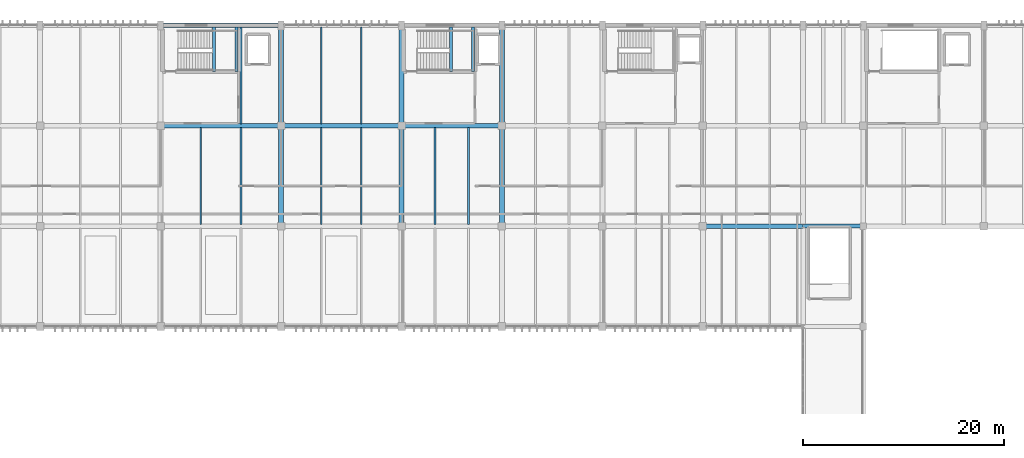
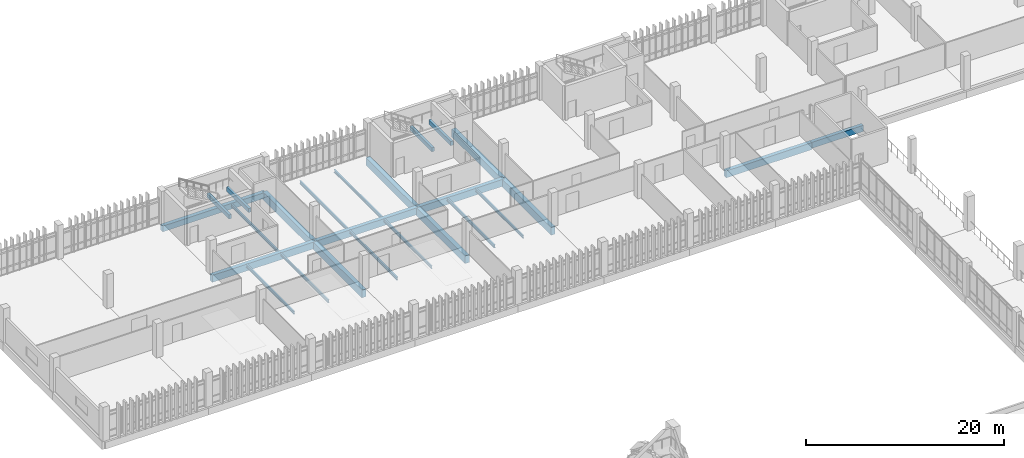
# One storey, part 90 of 161: 25 beams.
"""IFC4 building model written with IfcOpenShell, lengths in metres."""

from ifc_helpers import new_model, si_unit, direction, frame, origin, origin_2d, place, context, subcontext, project, spatial, rectangle, i_section, extrude, material, material_profile, profile_set, type_object, element, save


model = new_model("IFC4")

# Units and contexts
model_context = context("Model", 3, precision=1e-05, world=origin(), true_north=direction((0.0, 1.0)))
body_context = subcontext(model_context, "Body", "Model", "MODEL_VIEW")
ifc_project = project(units=[si_unit("LENGTHUNIT", "METRE"), si_unit("AREAUNIT", "SQUARE_METRE"), si_unit("VOLUMEUNIT", "CUBIC_METRE"), si_unit("PLANEANGLEUNIT", "RADIAN"), si_unit("MASSUNIT", "GRAM", prefix="KILO")], contexts=[model_context])

# Site, building, storey
site_placement = place(None, origin())
site = spatial("IfcSite", under=ifc_project, at=site_placement, CompositionType="ELEMENT")
building_placement = place(site_placement, origin())
building = spatial("IfcBuilding", under=site, at=building_placement, Name="Mersad Railyard Sports Hall", CompositionType="ELEMENT")
storey_placement = place(building_placement, frame((0.0, 0.0, 4.800048828125)))
storey = spatial("IfcBuildingStorey", under=building, at=storey_placement, Name="L01", CompositionType="ELEMENT", Elevation=4.800048828125)

# Beams
ifc_material_1 = material(Name="Concrete C40/50", Category="concrete")
ifc_material_profile_1 = material_profile(ifc_material_1, rectangle(XDim=0.39990234375, YDim=0.75, at=origin_2d()), Name="RC 400x750")
ifc_profile_set_1 = profile_set([ifc_material_profile_1], Name="Concrete C40/50")
beam_type_1 = type_object("IfcBeamType", Name="STR-BM-B01", PredefinedType="BEAM", material=ifc_profile_set_1)
beam_1_placement = place(storey_placement, frame((131.0, 95.0, -0.655029296875), z_axis=(1.0, 0.0, 0.0), x_axis=(0.0, 1.0, 0.0)))
element("IfcBeam", 1, at=beam_1_placement, inside=storey, type_object=beam_type_1, Name="Beam B01-0902", PredefinedType="BEAM", context=body_context, shape_type="SweptSolid", body=[
    extrude(rectangle(XDim=0.39990234375, YDim=0.75, at=origin_2d()), origin(), (0.0, 0.0, 1.0), 6.0),
])
ifc_material_profile_2 = material_profile(ifc_material_1, rectangle(XDim=0.449951171875, YDim=0.85009765625, at=origin_2d()), Name="RC 450x850")
ifc_profile_set_2 = profile_set([ifc_material_profile_2], Name="Concrete C40/50")
beam_type_2 = type_object("IfcBeamType", Name="STR-BM-B02", PredefinedType="BEAM", material=ifc_profile_set_2)
beam_2_placement = place(storey_placement, frame((121.0, 95.0, -0.72509765625), z_axis=(1.0, 0.0, 0.0), x_axis=(0.0, 1.0, 0.0)))
element("IfcBeam", 2, at=beam_2_placement, inside=storey, type_object=beam_type_2, Name="Beam B02-0939", PredefinedType="BEAM", context=body_context, shape_type="SweptSolid", body=[
    extrude(rectangle(XDim=0.449951171875, YDim=0.85009765625, at=origin_2d()), origin(), (0.0, 0.0, 1.0), 10.0),
])
for number, where, z_axis, x_axis, name in (
    (3, (67.0, 105.0, -0.72509765625), (1.0, 0.0, 0.0), (0.0, 1.0, 0.0), "Beam B02-0942"),
    (4, (79.0, 105.0, -0.72509765625), (1.0, 0.0, 0.0), (0.0, 1.0, 0.0), "Beam B02-0943"),
):
    element("IfcBeam", number, at=place(storey_placement, frame(where, z_axis=z_axis, x_axis=x_axis)), inside=storey, type_object=beam_type_2, Name=name, PredefinedType="BEAM", context=body_context, shape_type="SweptSolid", body=[
        extrude(rectangle(XDim=0.449951171875, YDim=0.85009765625, at=origin_2d()), origin(), (0.0, 0.0, 1.0), 12.0),
    ])
beam_3_placement = place(storey_placement, frame((91.0, 105.0, -0.72509765625), z_axis=(1.0, 0.0, 0.0), x_axis=(0.0, 1.0, 0.0)))
element("IfcBeam", 5, at=beam_3_placement, inside=storey, type_object=beam_type_2, Name="Beam B02-0944", PredefinedType="BEAM", context=body_context, shape_type="SweptSolid", body=[
    extrude(rectangle(XDim=0.449951171875, YDim=0.85009765625, at=origin_2d()), origin(), (0.0, 0.0, 1.0), 10.0),
])
ifc_material_2 = material(Name="Concrete C50/60", Category="concrete")
ifc_material_profile_3 = material_profile(ifc_material_2, rectangle(XDim=0.5, YDim=0.949951171875, at=origin_2d()), Name="RC 500x950")
ifc_profile_set_3 = profile_set([ifc_material_profile_3], Name="Concrete C50/60")
beam_type_3 = type_object("IfcBeamType", Name="STR-BM-B03", PredefinedType="BEAM", material=ifc_profile_set_3)
for number, where, z_axis, x_axis, name in (
    (6, (79.0, 95.0, -0.775146484375), (0.0, 1.0, 0.0), (-1.0, 0.0, 0.0), "Beam B03-0966"),
    (7, (79.0, 105.0, -0.775146484375), (0.0, 1.0, 0.0), (-1.0, 0.0, 0.0), "Beam B03-0967"),
    (8, (91.0, 95.0, -0.775146484375), (0.0, 1.0, 0.0), (-1.0, 0.0, 0.0), "Beam B03-0969"),
    (9, (91.0, 105.0, -0.775146484375), (0.0, 1.0, 0.0), (-1.0, 0.0, 0.0), "Beam B03-0970"),
    (10, (101.0, 95.0, -0.775146484375), (0.0, 1.0, 0.0), (-1.0, 0.0, 0.0), "Beam B03-0972"),
    (11, (101.0, 105.0, -0.775146484375), (0.0, 1.0, 0.0), (-1.0, 0.0, 0.0), "Beam B03-0973"),
):
    element("IfcBeam", number, at=place(storey_placement, frame(where, z_axis=z_axis, x_axis=x_axis)), inside=storey, type_object=beam_type_3, Name=name, PredefinedType="BEAM", context=body_context, shape_type="SweptSolid", body=[
        extrude(rectangle(XDim=0.5, YDim=0.949951171875, at=origin_2d()), origin(), (0.0, 0.0, 1.0), 10.0),
    ])
ifc_material_3 = material(Name="Steel S355", Category="steel")
ifc_material_profile_4 = material_profile(ifc_material_3, i_section(OverallWidth=0.169921875, OverallDepth=0.360107421875, WebThickness=0.008056640625, FlangeThickness=0.0126953125, at=origin_2d()), Name="IPE 360")
ifc_profile_set_4 = profile_set([ifc_material_profile_4], Name="Steel S355")
beam_type_4 = type_object("IfcBeamType", Name="STR-BM-J03", PredefinedType="JOIST", material=ifc_profile_set_4)
for number, where, z_axis, x_axis, name in (
    (12, (71.0, 95.179931640625, -0.47998046875), (0.0, 1.0, 0.0), (-1.0, 0.0, 0.0), "Beam J03-1020"),
    (13, (75.0, 95.179931640625, -0.47998046875), (0.0, 1.0, 0.0), (-1.0, 0.0, 0.0), "Beam J03-1021"),
    (14, (75.0, 105.179931640625, -0.47998046875), (0.0, 1.0, 0.0), (-1.0, 0.0, 0.0), "Beam J03-1022"),
    (15, (83.0, 95.179931640625, -0.47998046875), (0.0, 1.0, 0.0), (-1.0, 0.0, 0.0), "Beam J03-1025"),
    (16, (87.0, 95.179931640625, -0.47998046875), (0.0, 1.0, 0.0), (-1.0, 0.0, 0.0), "Beam J03-1026"),
    (17, (83.0, 105.179931640625, -0.47998046875), (0.0, 1.0, 0.0), (-1.0, 0.0, 0.0), "Beam J03-1027"),
    (18, (87.0, 105.179931640625, -0.47998046875), (0.0, 1.0, 0.0), (-1.0, 0.0, 0.0), "Beam J03-1028"),
    (19, (94.3330078125, 95.179931640625, -0.47998046875), (0.0, 1.0, 0.0), (-1.0, 0.0, 0.0), "Beam J03-1031"),
    (20, (97.6669921875, 95.179931640625, -0.47998046875), (0.0, 1.0, 0.0), (-1.0, 0.0, 0.0), "Beam J03-1032"),
):
    element("IfcBeam", number, at=place(storey_placement, frame(where, z_axis=z_axis, x_axis=x_axis)), inside=storey, type_object=beam_type_4, Name=name, PredefinedType="JOIST", context=body_context, shape_type="SweptSolid", body=[
        extrude(i_section(OverallWidth=0.169921875, OverallDepth=0.360107421875, WebThickness=0.008056640625, FlangeThickness=0.0126953125, at=origin_2d()), origin(), (0.0, 0.0, 1.0), 9.64013671875),
    ])
ifc_material_profile_5 = material_profile(ifc_material_1, rectangle(XDim=0.300048828125, YDim=0.5, at=origin_2d()), Name="RC 300x500")
ifc_profile_set_5 = profile_set([ifc_material_profile_5], Name="Concrete C40/50")
beam_type_5 = type_object("IfcBeamType", Name="STR-BM-LN01", PredefinedType="LINTEL", material=ifc_profile_set_5)
for number, where, z_axis, x_axis, name in (
    (21, (72.31005859375, 110.3798828125, 1.669921875), (0.0, 1.0, 0.0), (-1.0, 0.0, 0.0), "Stair ST01C landing beam W"),
    (22, (74.570068359375, 110.3798828125, 1.669921875), (0.0, 1.0, 0.0), (-1.0, 0.0, 0.0), "Stair ST01C landing beam E"),
    (23, (95.929931640625, 110.3798828125, 1.669921875), (0.0, 1.0, 0.0), (-1.0, 0.0, 0.0), "Stair ST02C landing beam W"),
    (24, (98.1201171875, 110.3798828125, 1.669921875), (0.0, 1.0, 0.0), (-1.0, 0.0, 0.0), "Stair ST02C landing beam E"),
):
    element("IfcBeam", number, at=place(storey_placement, frame(where, z_axis=z_axis, x_axis=x_axis)), inside=storey, type_object=beam_type_5, Name=name, PredefinedType="LINTEL", context=body_context, shape_type="SweptSolid", body=[
        extrude(rectangle(XDim=0.300048828125, YDim=0.5, at=origin_2d()), origin(), (0.0, 0.0, 1.0), 4.43017578125),
    ])
ifc_material_4 = material(Name="Architectural concrete C40/50", Category="concrete")
ifc_material_profile_6 = material_profile(ifc_material_4, rectangle(XDim=0.449951171875, YDim=0.699951171875, at=origin_2d()), Name="RC 450x700")
ifc_profile_set_6 = profile_set([ifc_material_profile_6], Name="Architectural concrete C40/50")
beam_type_6 = type_object("IfcBeamType", Name="STR-BM-SP01", PredefinedType="SPANDREL", material=ifc_profile_set_6)
beam_4_placement = place(storey_placement, frame((67.0, 115.0, -0.650146484375), z_axis=(1.0, 0.0, 0.0), x_axis=(0.0, 1.0, 0.0)))
element("IfcBeam", 25, at=beam_4_placement, inside=storey, type_object=beam_type_6, Name="Beam SP01-0950", PredefinedType="SPANDREL", context=body_context, shape_type="SweptSolid", body=[
    extrude(rectangle(XDim=0.449951171875, YDim=0.699951171875, at=origin_2d()), origin(), (0.0, 0.0, 1.0), 12.0),
])

save(model, "model.ifc")
